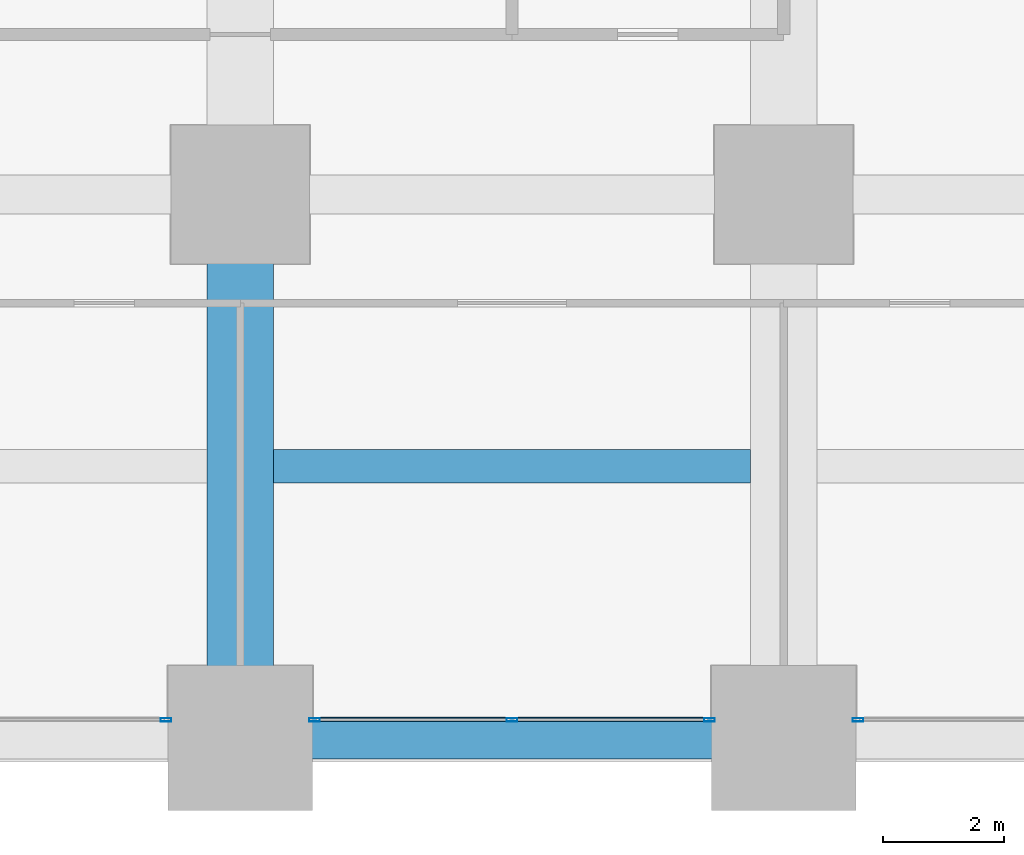
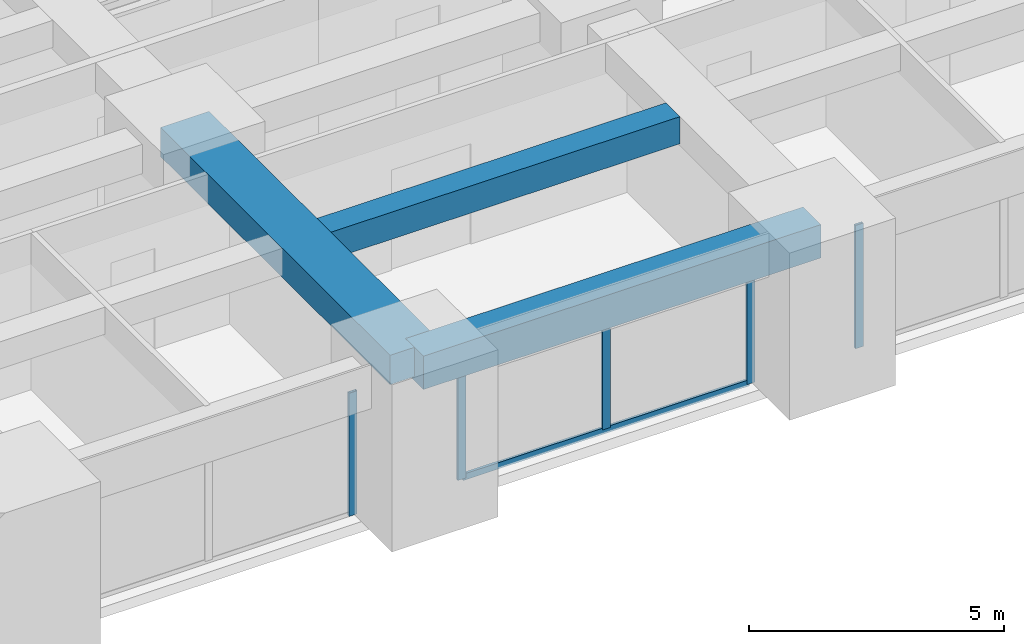
# One storey, part 6 of 44: 6 members, 3 beams, 3 elements without a shape of their own.
"""IFC4 building model written with IfcOpenShell, lengths in metres."""

from ifc_helpers import new_model, si_unit, direction, frame, origin, origin_2d, place, context, subcontext, project, spatial, rectangle, hollow_rectangle, extrude, material, material_profile, profile_set, type_object, element, aggregate, save


model = new_model("IFC4")

# Units and contexts
model_context = context("Model", 3, precision=1e-05, world=origin(), true_north=direction((0.0, 1.0)))
body_context = subcontext(model_context, "Body", "Model", "MODEL_VIEW")
ifc_project = project(units=[si_unit("LENGTHUNIT", "METRE"), si_unit("AREAUNIT", "SQUARE_METRE"), si_unit("VOLUMEUNIT", "CUBIC_METRE"), si_unit("PLANEANGLEUNIT", "RADIAN"), si_unit("MASSUNIT", "GRAM", prefix="KILO")], contexts=[model_context])

# Site, building, storey
site_placement = place(None, origin())
site = spatial("IfcSite", under=ifc_project, at=site_placement, CompositionType="ELEMENT")
building_placement = place(site_placement, origin())
building = spatial("IfcBuilding", under=site, at=building_placement, Name="Zorevar Civic Tower", CompositionType="ELEMENT")
storey_placement = place(building_placement, frame((0.0, 0.0, 35.800048828125)))
storey = spatial("IfcBuildingStorey", under=building, at=storey_placement, Name="L08", CompositionType="ELEMENT", Elevation=35.800048828125)

# Beams
ifc_material_1 = material(Name="Concrete C50/60", Category="concrete")
ifc_material_profile_1 = material_profile(ifc_material_1, rectangle(XDim=1.10009765625, YDim=0.699951171875, at=origin_2d()), Name="RC 1100x700")
ifc_profile_set_1 = profile_set([ifc_material_profile_1], Name="Concrete C50/60")
beam_type_1 = type_object("IfcBeamType", Name="Beam RC 1100x700", PredefinedType="BEAM", material=ifc_profile_set_1)
beam_1_placement = place(storey_placement, frame((18.0, 0.0, 3.39990234375), z_axis=(0.0, 1.0, 0.0), x_axis=(-1.0, 0.0, 0.0)))
element("IfcBeam", 1, at=beam_1_placement, inside=storey, type_object=beam_type_1, Name="Girder L09", PredefinedType="BEAM", context=body_context, shape_type="SweptSolid", body=[
    extrude(rectangle(XDim=1.10009765625, YDim=0.699951171875, at=origin_2d()), origin(), (0.0, 0.0, 1.0), 9.0),
])
ifc_material_2 = material(Name="Concrete C50/60", Category="concrete")
ifc_material_profile_2 = material_profile(ifc_material_2, rectangle(XDim=0.550048828125, YDim=0.64990234375, at=origin_2d()), Name="RC 550x650")
ifc_profile_set_2 = profile_set([ifc_material_profile_2], Name="Concrete C50/60")
beam_type_2 = type_object("IfcBeamType", Name="Beam RC 550x650", PredefinedType="BEAM", material=ifc_profile_set_2)
beam_2_placement = place(storey_placement, frame((18.550048828125, 4.5, 3.425048828125), z_axis=(1.0, 0.0, 0.0), x_axis=(0.0, 1.0, 0.0)))
element("IfcBeam", 2, at=beam_2_placement, inside=storey, type_object=beam_type_2, Name="Secondary beam L09", PredefinedType="BEAM", context=body_context, shape_type="SweptSolid", body=[
    extrude(rectangle(XDim=0.550048828125, YDim=0.64990234375, at=origin_2d()), origin(), (0.0, 0.0, 1.0), 7.89990234375),
])

# Curtain wall, member
ifc_material_3 = material(Name="Dark grey solar-control glass in black aluminium frame", Category="aluminium")
curtain_wall_type = type_object("IfcCurtainWallType", Name="Curtain wall CW2 low zone", PredefinedType="NOTDEFINED", material=ifc_material_3)
curtain_wall_1_placement = place(storey_placement, origin())
curtain_wall_1 = element("IfcCurtainWall", 3, at=curtain_wall_1_placement, inside=storey, type_object=curtain_wall_type, Name="CW2 L08", PredefinedType="NOTDEFINED")
ifc_material_4 = material(Name="Aluminium, black anodised", Category="aluminium")
ifc_material_profile_3 = material_profile(ifc_material_4, hollow_rectangle(XDim=0.06005859375, YDim=0.179931640625, WallThickness=0.00390625, at=origin_2d()), Name="AL 180x60x4")
ifc_profile_set_3 = profile_set([ifc_material_profile_3], Name="Aluminium, black anodised")
member_type_1 = type_object("IfcMemberType", Name="CW2 mullion AL 180x60x4", PredefinedType="MULLION", material=ifc_profile_set_3)
member_1_placement = place(storey_placement, frame((16.77001953125, 0.300048828125, 0.0), z_axis=(0.0, 0.0, 1.0), x_axis=(0.0, 1.0, 0.0)))
member_1 = element("IfcMember", 4, at=member_1_placement, type_object=member_type_1, Name="CW2 mullion 3", PredefinedType="MULLION", context=body_context, shape_type="SweptSolid", body=[
    extrude(hollow_rectangle(XDim=0.06005859375, YDim=0.179931640625, WallThickness=0.00390625, at=origin_2d()), origin(), (0.0, 0.0, 1.0), 2.949951171875),
])
aggregate(curtain_wall_1, [member_1])

# Curtain wall, members
curtain_wall_2_placement = place(storey_placement, origin())
curtain_wall_2 = element("IfcCurtainWall", 5, at=curtain_wall_2_placement, inside=storey, type_object=curtain_wall_type, Name="CW2 L08", PredefinedType="NOTDEFINED")
member_2_placement = place(storey_placement, frame((19.22998046875, 0.300048828125, 0.0), z_axis=(0.0, 0.0, 1.0), x_axis=(0.0, 1.0, 0.0)))
member_2 = element("IfcMember", 6, at=member_2_placement, type_object=member_type_1, Name="CW2 mullion 1", PredefinedType="MULLION", context=body_context, shape_type="SweptSolid", body=[
    extrude(hollow_rectangle(XDim=0.06005859375, YDim=0.179931640625, WallThickness=0.00390625, at=origin_2d()), origin(), (0.0, 0.0, 1.0), 2.949951171875),
])
member_3_placement = place(storey_placement, frame((22.5, 0.300048828125, 0.06005859375), z_axis=(0.0, 0.0, 1.0), x_axis=(0.0, 1.0, 0.0)))
member_3 = element("IfcMember", 7, at=member_3_placement, type_object=member_type_1, Name="CW2 mullion 2", PredefinedType="MULLION", context=body_context, shape_type="SweptSolid", body=[
    extrude(hollow_rectangle(XDim=0.06005859375, YDim=0.179931640625, WallThickness=0.00390625, at=origin_2d()), origin(), (0.0, 0.0, 1.0), 2.889892578125),
])
member_4_placement = place(storey_placement, frame((25.77001953125, 0.300048828125, 0.0), z_axis=(0.0, 0.0, 1.0), x_axis=(0.0, 1.0, 0.0)))
member_4 = element("IfcMember", 8, at=member_4_placement, type_object=member_type_1, Name="CW2 mullion 3", PredefinedType="MULLION", context=body_context, shape_type="SweptSolid", body=[
    extrude(hollow_rectangle(XDim=0.06005859375, YDim=0.179931640625, WallThickness=0.00390625, at=origin_2d()), origin(), (0.0, 0.0, 1.0), 2.949951171875),
])

# Curtain wall, member
curtain_wall_3_placement = place(storey_placement, origin())
curtain_wall_3 = element("IfcCurtainWall", 9, at=curtain_wall_3_placement, inside=storey, type_object=curtain_wall_type, Name="CW2 L08", PredefinedType="NOTDEFINED")
member_5_placement = place(storey_placement, frame((28.22998046875, 0.300048828125, 0.0), z_axis=(0.0, 0.0, 1.0), x_axis=(0.0, 1.0, 0.0)))
member_5 = element("IfcMember", 10, at=member_5_placement, type_object=member_type_1, Name="CW2 mullion 1", PredefinedType="MULLION", context=body_context, shape_type="SweptSolid", body=[
    extrude(hollow_rectangle(XDim=0.06005859375, YDim=0.179931640625, WallThickness=0.00390625, at=origin_2d()), origin(), (0.0, 0.0, 1.0), 2.949951171875),
])
aggregate(curtain_wall_3, [member_5])

# Member
ifc_material_5 = material(Name="Aluminium, black anodised", Category="aluminium")
ifc_material_profile_4 = material_profile(ifc_material_5, hollow_rectangle(XDim=0.06005859375, YDim=0.14990234375, WallThickness=0.00390625, at=origin_2d()), Name="AL 150x60x4")
ifc_profile_set_4 = profile_set([ifc_material_profile_4], Name="Aluminium, black anodised")
member_type_2 = type_object("IfcMemberType", Name="CW2 transom AL 150x60x4", PredefinedType="USERDEFINED", material=ifc_profile_set_4)
member_6_placement = place(storey_placement, frame((19.260009765625, 0.300048828125, 0.030029296875), z_axis=(1.0, 0.0, 0.0), x_axis=(0.0, 1.0, 0.0)))
member_6 = element("IfcMember", 11, at=member_6_placement, type_object=member_type_2, Name="CW2 sill transom", ObjectType="TRANSOM", PredefinedType="USERDEFINED", context=body_context, shape_type="SweptSolid", body=[
    extrude(hollow_rectangle(XDim=0.06005859375, YDim=0.14990234375, WallThickness=0.00390625, at=origin_2d()), origin(), (0.0, 0.0, 1.0), 6.47998046875),
])

aggregate(curtain_wall_2, [member_2, member_3, member_4, member_6])

# Beam
ifc_material_6 = material(Name="Concrete C50/60", Category="concrete")
ifc_material_profile_5 = material_profile(ifc_material_6, rectangle(XDim=0.699951171875, YDim=0.800048828125, at=origin_2d()), Name="RC 700x800")
ifc_profile_set_5 = profile_set([ifc_material_profile_5], Name="Concrete C50/60")
beam_type_3 = type_object("IfcBeamType", Name="Edge beam RC 700x800", PredefinedType="SPANDREL", material=ifc_profile_set_5)
beam_3_placement = place(storey_placement, frame((18.0, 0.0, 3.349853515625), z_axis=(1.0, 0.0, 0.0), x_axis=(0.0, 1.0, 0.0)))
element("IfcBeam", 12, at=beam_3_placement, inside=storey, type_object=beam_type_3, Name="Edge beam L09", PredefinedType="SPANDREL", context=body_context, shape_type="SweptSolid", body=[
    extrude(rectangle(XDim=0.699951171875, YDim=0.800048828125, at=origin_2d()), origin(), (0.0, 0.0, 1.0), 9.0),
])

save(model, "model.ifc")
